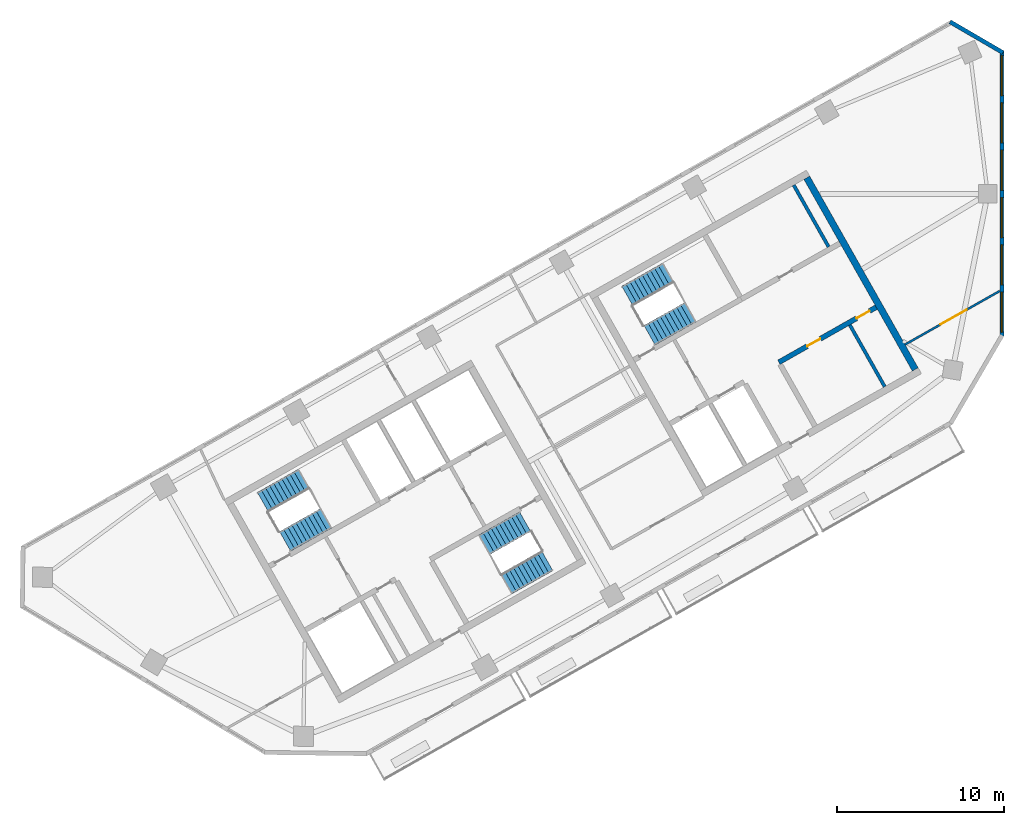
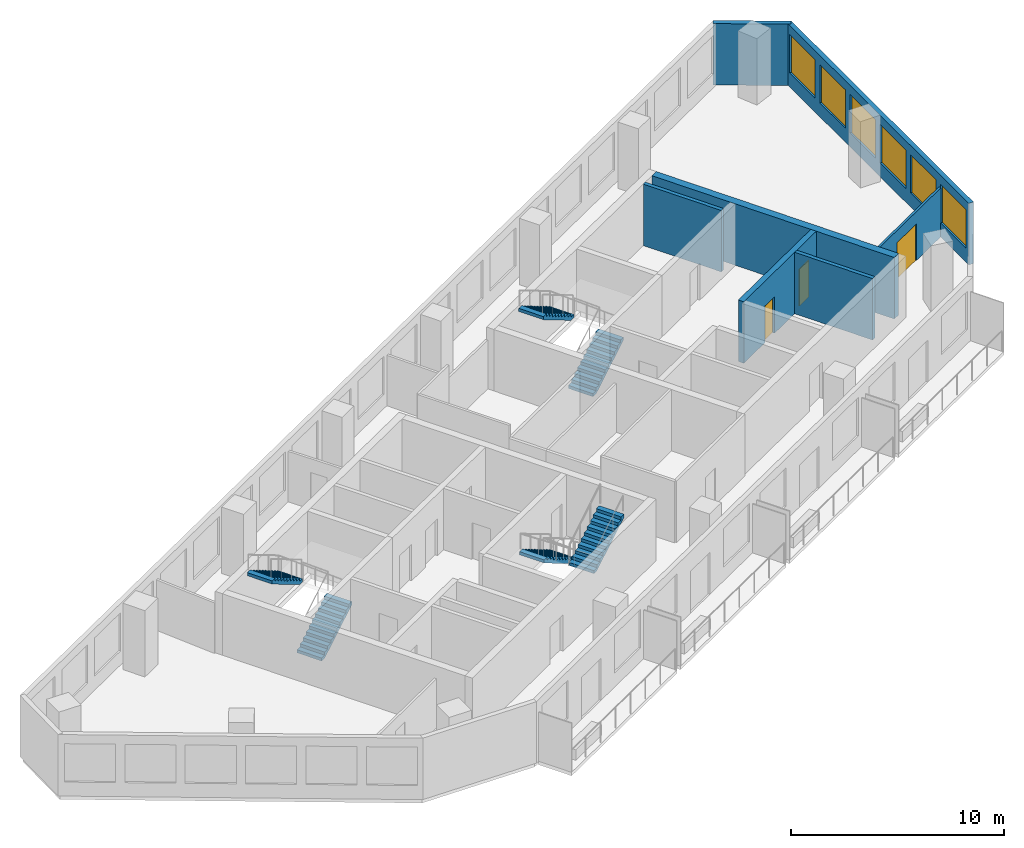
# One storey, part 5 of 7: 7 walls, 6 stair flights, 6 windows, 3 doors, 9 openings, 3 elements without a shape of their own.
"""IFC4 building model written with IfcOpenShell, lengths in metres."""

from ifc_helpers import new_model, si_unit, direction, frame, frame_2d, origin, place, context, subcontext, project, spatial, polyline, rectangle, outline, extrude, material, layer, layer_set, type_object, element, fill, aggregate, save


model = new_model("IFC4")

# Units and contexts
model_context = context("Model", 3, precision=1e-05, world=origin(), true_north=direction((0.0, 1.0)))
body_context = subcontext(model_context, "Body", "Model", "MODEL_VIEW")
ifc_project = project(units=[si_unit("LENGTHUNIT", "METRE"), si_unit("AREAUNIT", "SQUARE_METRE"), si_unit("VOLUMEUNIT", "CUBIC_METRE"), si_unit("PLANEANGLEUNIT", "RADIAN"), si_unit("MASSUNIT", "GRAM", prefix="KILO")], contexts=[model_context])

# Site, building, storey
site_placement = place(None, origin())
site = spatial("IfcSite", under=ifc_project, at=site_placement, CompositionType="ELEMENT")
building_placement = place(site_placement, origin())
building = spatial("IfcBuilding", under=site, at=building_placement, Name="Binnacle Exchange Tower", CompositionType="ELEMENT")
storey_placement = place(building_placement, frame((0.0, 0.0, 274.10009765625)))
storey = spatial("IfcBuildingStorey", under=building, at=storey_placement, Name="L61", CompositionType="ELEMENT", Elevation=274.10009765625)

# Wall
ifc_material_1 = material(Name="Gypsum partition fire rated")
ifc_layer_1 = layer(ifc_material_1, 0.199951171875)
ifc_layer_set_1 = layer_set([ifc_layer_1], Name="Core partition 200")
wall_type_1 = type_object("IfcWallType", Name="Core partition 200", PredefinedType="PARTITIONING", material=ifc_layer_set_1)
wall_1_placement = place(storey_placement, frame((-9.11279296875, 52.14404296875, 0.0), z_axis=(0.0, 0.0, 1.0), x_axis=(0.492422543467, -0.870356271124, 0.0)))
element("IfcWall", 1, at=wall_1_placement, inside=storey, type_object=wall_type_1, Name="Core wall CRWC22", PredefinedType="PARTITIONING", context=body_context, shape_type="SweptSolid", body=[
    extrude(rectangle(XDim=4.25, YDim=0.199951171875, at=frame_2d((2.125, 0.0))), origin(), (0.0, 0.0, 1.0), 3.52001953125),
])

# Wall, openings, doors
ifc_material_2 = material(Name="Concrete C70/85", Category="concrete")
ifc_layer_2 = layer(ifc_material_2, 0.300048828125)
ifc_layer_set_2 = layer_set([ifc_layer_2], Name="Core wall - front 300")
wall_type_2 = type_object("IfcWallType", Name="Core wall - front 300", PredefinedType="SOLIDWALL", material=ifc_layer_set_2)
wall_2_placement = place(storey_placement, frame((-13.364501953125, 49.910888671875, 0.0), z_axis=(0.0, 0.0, 1.0), x_axis=(0.870347618718, 0.492437836272, 0.0)))
wall_2 = element("IfcWall", 2, at=wall_2_placement, inside=storey, type_object=wall_type_2, Name="Core wall CRWC3", PredefinedType="SOLIDWALL", context=body_context, shape_type="SweptSolid", body=[
    extrude(rectangle(XDim=6.699951171875, YDim=0.300048828125, at=frame_2d((3.35009765625, 0.0))), origin(), (0.0, 0.0, 1.0), 3.52001953125),
])
opening_1_placement = place(wall_2_placement, frame((1.949951171875, 0.0, 0.0)))
opening_1 = element("IfcOpeningElement", 3, at=opening_1_placement, cuts=wall_2, Name="Opening DC18", PredefinedType="OPENING", context=body_context, shape_type="SweptSolid", body=[
    extrude(rectangle(XDim=0.89990234375, YDim=2.10009765625, at=frame_2d((0.449951171875, 1.050048828125))), frame((0.0, 0.159912109375, 0.0), z_axis=(0.0, -1.0, 0.0), x_axis=(1.0, 0.0, 0.0)), (0.0, 0.0, 1.0), 0.320068359375),
])
opening_2_placement = place(wall_2_placement, frame((5.35009765625, 0.0, 0.0)))
opening_2 = element("IfcOpeningElement", 4, at=opening_2_placement, cuts=wall_2, Name="Opening DC19", PredefinedType="OPENING", context=body_context, shape_type="SweptSolid", body=[
    extrude(rectangle(XDim=0.89990234375, YDim=2.10009765625, at=frame_2d((0.449951171875, 1.050048828125))), frame((0.0, 0.159912109375, 0.0), z_axis=(0.0, -1.0, 0.0), x_axis=(1.0, 0.0, 0.0)), (0.0, 0.0, 1.0), 0.320068359375),
])
ifc_material_3 = material(Name="Steel door leaf", Category="steel")
door_type_1 = type_object("IfcDoorType", Name="Fire door 900", OperationType="NOTDEFINED", PredefinedType="DOOR", material=ifc_material_3)
door_1_placement = place(opening_1_placement, frame((0.89990234375, 0.0, 0.0), z_axis=(0.0, 0.0, 1.0), x_axis=(-1.0, 0.0, 0.0)))
door_1 = element("IfcDoor", 5, at=door_1_placement, inside=storey, type_object=door_type_1, Name="Core room door TELECOM RISER ROOM", OperationType="SINGLE_SWING_RIGHT", OverallHeight=2.10009765625, OverallWidth=0.89990234375, PredefinedType="DOOR", context=body_context, shape_type="SweptSolid", body=[
    extrude(rectangle(XDim=0.89990234375, YDim=2.10009765625, at=frame_2d((0.449951171875, 1.050048828125))), frame((0.0, 0.02490234375, 0.0), z_axis=(0.0, -1.0, 0.0), x_axis=(1.0, 0.0, 0.0)), (0.0, 0.0, 1.0), 0.050048828125),
])
fill(opening_1, door_1)
door_2_placement = place(opening_2_placement, frame((0.89990234375, 0.0, 0.0), z_axis=(0.0, 0.0, 1.0), x_axis=(-1.0, 0.0, 0.0)))
door_2 = element("IfcDoor", 6, at=door_2_placement, inside=storey, type_object=door_type_1, Name="Core room door COMMS RISER ROOM", OperationType="SINGLE_SWING_LEFT", OverallHeight=2.10009765625, OverallWidth=0.89990234375, PredefinedType="DOOR", context=body_context, shape_type="SweptSolid", body=[
    extrude(rectangle(XDim=0.89990234375, YDim=2.10009765625, at=frame_2d((0.449951171875, 1.050048828125))), frame((0.0, 0.02490234375, 0.0), z_axis=(0.0, -1.0, 0.0), x_axis=(1.0, 0.0, 0.0)), (0.0, 0.0, 1.0), 0.050048828125),
])
fill(opening_2, door_2)

# Wall
ifc_layer_3 = layer(ifc_material_2, 0.39990234375)
ifc_layer_set_3 = layer_set([ifc_layer_3], Name="Core wall - outer 400")
wall_type_3 = type_object("IfcWallType", Name="Core wall - outer 400", PredefinedType="SOLIDWALL", material=ifc_layer_set_3)
wall_3_placement = place(storey_placement, frame((-11.6923828125, 60.968017578125, 0.0), z_axis=(0.0, 0.0, 1.0), x_axis=(0.492421663121, -0.870356769198, 0.0)))
element("IfcWall", 7, at=wall_3_placement, inside=storey, type_object=wall_type_3, Name="Core wall CRWC24", PredefinedType="SOLIDWALL", context=body_context, shape_type="SweptSolid", body=[
    extrude(rectangle(XDim=13.199951171875, YDim=0.39990234375, at=frame_2d((6.60009765625, 0.0))), origin(), (0.0, 0.0, 1.0), 3.52001953125),
])

# Wall, openings, windows
ifc_material_4 = material(Name="Bronze aluminium cladding", Category="aluminium")
ifc_layer_4 = layer(ifc_material_4, 0.25)
ifc_layer_set_4 = layer_set([ifc_layer_4], Name="External wall - window wall 250")
wall_type_4 = type_object("IfcWallType", Name="External wall - window wall 250", PredefinedType="STANDARD", material=ifc_layer_set_4)
wall_4_placement = place(storey_placement, frame((0.0, 68.57177734375, 0.0), z_axis=(0.0, 0.0, 1.0), x_axis=(0.0, -1.0, 0.0)))
wall_4 = element("IfcWall", 8, at=wall_4_placement, inside=storey, type_object=wall_type_4, Name="External wall EW-H01 L61", PredefinedType="STANDARD", context=body_context, shape_type="SweptSolid", body=[
    extrude(rectangle(XDim=17.10546875, YDim=0.25, at=frame_2d((8.552734375, 0.0))), origin(), (0.0, 0.0, 1.0), 3.52001953125),
])
opening_3_placement = place(wall_4_placement, frame((14.455078125, 0.0, 0.800048828125)))
opening_3 = element("IfcOpeningElement", 9, at=opening_3_placement, cuts=wall_4, Name="Opening WR2", PredefinedType="OPENING", context=body_context, shape_type="SweptSolid", body=[
    extrude(rectangle(XDim=2.39990234375, YDim=2.199951171875, at=frame_2d((1.199951171875, 1.10009765625))), frame((0.0, 0.135009765625, 0.0), z_axis=(0.0, -1.0, 0.0), x_axis=(1.0, 0.0, 0.0)), (0.0, 0.0, 1.0), 0.27001953125),
])
opening_4_placement = place(wall_4_placement, frame((11.621826171875, 0.0, 0.800048828125)))
opening_4 = element("IfcOpeningElement", 10, at=opening_4_placement, cuts=wall_4, Name="Opening WR2", PredefinedType="OPENING", context=body_context, shape_type="SweptSolid", body=[
    extrude(rectangle(XDim=2.39990234375, YDim=2.199951171875, at=frame_2d((1.199951171875, 1.10009765625))), frame((0.0, 0.135009765625, 0.0), z_axis=(0.0, -1.0, 0.0), x_axis=(1.0, 0.0, 0.0)), (0.0, 0.0, 1.0), 0.27001953125),
])
opening_5_placement = place(wall_4_placement, frame((8.78857421875, 0.0, 0.800048828125)))
opening_5 = element("IfcOpeningElement", 11, at=opening_5_placement, cuts=wall_4, Name="Opening WR2", PredefinedType="OPENING", context=body_context, shape_type="SweptSolid", body=[
    extrude(rectangle(XDim=2.39990234375, YDim=2.199951171875, at=frame_2d((1.199951171875, 1.10009765625))), frame((0.0, 0.135009765625, 0.0), z_axis=(0.0, -1.0, 0.0), x_axis=(1.0, 0.0, 0.0)), (0.0, 0.0, 1.0), 0.27001953125),
])
opening_6_placement = place(wall_4_placement, frame((5.955078125, 0.0, 0.800048828125)))
opening_6 = element("IfcOpeningElement", 12, at=opening_6_placement, cuts=wall_4, Name="Opening WR2", PredefinedType="OPENING", context=body_context, shape_type="SweptSolid", body=[
    extrude(rectangle(XDim=2.39990234375, YDim=2.199951171875, at=frame_2d((1.199951171875, 1.10009765625))), frame((0.0, 0.135009765625, 0.0), z_axis=(0.0, -1.0, 0.0), x_axis=(1.0, 0.0, 0.0)), (0.0, 0.0, 1.0), 0.27001953125),
])
opening_7_placement = place(wall_4_placement, frame((3.121826171875, 0.0, 0.800048828125)))
opening_7 = element("IfcOpeningElement", 13, at=opening_7_placement, cuts=wall_4, Name="Opening WR2", PredefinedType="OPENING", context=body_context, shape_type="SweptSolid", body=[
    extrude(rectangle(XDim=2.39990234375, YDim=2.199951171875, at=frame_2d((1.199951171875, 1.10009765625))), frame((0.0, 0.135009765625, 0.0), z_axis=(0.0, -1.0, 0.0), x_axis=(1.0, 0.0, 0.0)), (0.0, 0.0, 1.0), 0.27001953125),
])
opening_8_placement = place(wall_4_placement, frame((0.28857421875, 0.0, 0.800048828125)))
opening_8 = element("IfcOpeningElement", 14, at=opening_8_placement, cuts=wall_4, Name="Opening WR2", PredefinedType="OPENING", context=body_context, shape_type="SweptSolid", body=[
    extrude(rectangle(XDim=2.39990234375, YDim=2.199951171875, at=frame_2d((1.199951171875, 1.10009765625))), frame((0.0, 0.135009765625, 0.0), z_axis=(0.0, -1.0, 0.0), x_axis=(1.0, 0.0, 0.0)), (0.0, 0.0, 1.0), 0.27001953125),
])
ifc_material_5 = material(Name="Bronze anodised aluminium frame", Category="aluminium")
window_type = type_object("IfcWindowType", Name="WR2 WINDOW 2400x2200", PartitioningType="SINGLE_PANEL", PredefinedType="WINDOW", material=ifc_material_5)
window_1_placement = place(opening_3_placement, origin())
window_1 = element("IfcWindow", 15, at=window_1_placement, inside=storey, type_object=window_type, Name="Window WR2 L61", OverallHeight=2.199951171875, OverallWidth=2.39990234375, PartitioningType="SINGLE_PANEL", PredefinedType="WINDOW", context=body_context, shape_type="SweptSolid", body=[
    extrude(rectangle(XDim=2.39990234375, YDim=2.199951171875, at=frame_2d((1.199951171875, 1.10009765625))), frame((0.0, 0.030029296875, 0.0), z_axis=(0.0, -1.0, 0.0), x_axis=(1.0, 0.0, 0.0)), (0.0, 0.0, 1.0), 0.06005859375),
])
fill(opening_3, window_1)
window_2_placement = place(opening_4_placement, origin())
window_2 = element("IfcWindow", 16, at=window_2_placement, inside=storey, type_object=window_type, Name="Window WR2 L61", OverallHeight=2.199951171875, OverallWidth=2.39990234375, PartitioningType="SINGLE_PANEL", PredefinedType="WINDOW", context=body_context, shape_type="SweptSolid", body=[
    extrude(rectangle(XDim=2.39990234375, YDim=2.199951171875, at=frame_2d((1.199951171875, 1.10009765625))), frame((0.0, 0.030029296875, 0.0), z_axis=(0.0, -1.0, 0.0), x_axis=(1.0, 0.0, 0.0)), (0.0, 0.0, 1.0), 0.06005859375),
])
fill(opening_4, window_2)
window_3_placement = place(opening_5_placement, origin())
window_3 = element("IfcWindow", 17, at=window_3_placement, inside=storey, type_object=window_type, Name="Window WR2 L61", OverallHeight=2.199951171875, OverallWidth=2.39990234375, PartitioningType="SINGLE_PANEL", PredefinedType="WINDOW", context=body_context, shape_type="SweptSolid", body=[
    extrude(rectangle(XDim=2.39990234375, YDim=2.199951171875, at=frame_2d((1.199951171875, 1.10009765625))), frame((0.0, 0.030029296875, 0.0), z_axis=(0.0, -1.0, 0.0), x_axis=(1.0, 0.0, 0.0)), (0.0, 0.0, 1.0), 0.06005859375),
])
fill(opening_5, window_3)
window_4_placement = place(opening_6_placement, origin())
window_4 = element("IfcWindow", 18, at=window_4_placement, inside=storey, type_object=window_type, Name="Window WR2 L61", OverallHeight=2.199951171875, OverallWidth=2.39990234375, PartitioningType="SINGLE_PANEL", PredefinedType="WINDOW", context=body_context, shape_type="SweptSolid", body=[
    extrude(rectangle(XDim=2.39990234375, YDim=2.199951171875, at=frame_2d((1.199951171875, 1.10009765625))), frame((0.0, 0.030029296875, 0.0), z_axis=(0.0, -1.0, 0.0), x_axis=(1.0, 0.0, 0.0)), (0.0, 0.0, 1.0), 0.06005859375),
])
fill(opening_6, window_4)
window_5_placement = place(opening_7_placement, origin())
window_5 = element("IfcWindow", 19, at=window_5_placement, inside=storey, type_object=window_type, Name="Window WR2 L61", OverallHeight=2.199951171875, OverallWidth=2.39990234375, PartitioningType="SINGLE_PANEL", PredefinedType="WINDOW", context=body_context, shape_type="SweptSolid", body=[
    extrude(rectangle(XDim=2.39990234375, YDim=2.199951171875, at=frame_2d((1.199951171875, 1.10009765625))), frame((0.0, 0.030029296875, 0.0), z_axis=(0.0, -1.0, 0.0), x_axis=(1.0, 0.0, 0.0)), (0.0, 0.0, 1.0), 0.06005859375),
])
fill(opening_7, window_5)
window_6_placement = place(opening_8_placement, origin())
window_6 = element("IfcWindow", 20, at=window_6_placement, inside=storey, type_object=window_type, Name="Window WR2 L61", OverallHeight=2.199951171875, OverallWidth=2.39990234375, PartitioningType="SINGLE_PANEL", PredefinedType="WINDOW", context=body_context, shape_type="SweptSolid", body=[
    extrude(rectangle(XDim=2.39990234375, YDim=2.199951171875, at=frame_2d((1.199951171875, 1.10009765625))), frame((0.0, 0.030029296875, 0.0), z_axis=(0.0, -1.0, 0.0), x_axis=(1.0, 0.0, 0.0)), (0.0, 0.0, 1.0), 0.06005859375),
])
fill(opening_8, window_6)

# Wall
wall_5_placement = place(storey_placement, frame((-3.108154296875, 70.312744140625, 0.0), z_axis=(0.0, 0.0, 1.0), x_axis=(0.86382474085, -0.503792434536, 0.0)))
element("IfcWall", 21, at=wall_5_placement, inside=storey, type_object=wall_type_4, Name="External wall EW-H02 L61", PredefinedType="STANDARD", context=body_context, shape_type="SweptSolid", body=[
    extrude(rectangle(XDim=3.669921875, YDim=0.25, at=frame_2d((1.8349609375, 0.0))), origin(), (0.0, 0.0, 1.0), 3.52001953125),
])

# Wall, opening, door
ifc_material_6 = material(Name="Gypsum partition")
ifc_layer_5 = layer(ifc_material_6, 0.125)
ifc_layer_set_5 = layer_set([ifc_layer_5], Name="Partition 125")
wall_type_5 = type_object("IfcWallType", Name="Partition 125", PredefinedType="PARTITIONING", material=ifc_layer_set_5)
wall_6_placement = place(storey_placement, frame((-5.805908203125, 50.969970703125, 0.0), z_axis=(0.0, 0.0, 1.0), x_axis=(0.870355163327, 0.492424501492, 0.0)))
wall_6 = element("IfcWall", 22, at=wall_6_placement, inside=storey, type_object=wall_type_5, Name="Partition W15", PredefinedType="PARTITIONING", context=body_context, shape_type="SweptSolid", body=[
    extrude(rectangle(XDim=6.527099609375, YDim=0.125, at=frame_2d((3.263671875, 0.0))), origin(), (0.0, 0.0, 1.0), 2.7998046875),
])
opening_9_placement = place(wall_6_placement, frame((2.449951171875, 0.0, 0.0)))
opening_9 = element("IfcOpeningElement", 23, at=opening_9_placement, cuts=wall_6, Name="Opening DL61-07", PredefinedType="OPENING", context=body_context, shape_type="SweptSolid", body=[
    extrude(rectangle(XDim=1.800048828125, YDim=2.10009765625, at=frame_2d((0.89990234375, 1.050048828125))), frame((0.0, 0.072509765625, 0.0), z_axis=(0.0, -1.0, 0.0), x_axis=(1.0, 0.0, 0.0)), (0.0, 0.0, 1.0), 0.14501953125),
])
ifc_material_7 = material(Name="Timber door leaf", Category="wood")
door_type_2 = type_object("IfcDoorType", Name="Double door 1800", OperationType="NOTDEFINED", PredefinedType="DOOR", material=ifc_material_7)
door_3_placement = place(opening_9_placement, origin())
door_3 = element("IfcDoor", 24, at=door_3_placement, inside=storey, type_object=door_type_2, Name="Door DL61-07", OperationType="DOUBLE_DOOR_SINGLE_SWING", OverallHeight=2.10009765625, OverallWidth=1.800048828125, PredefinedType="DOOR", context=body_context, shape_type="SweptSolid", body=[
    extrude(rectangle(XDim=1.800048828125, YDim=2.10009765625, at=frame_2d((0.89990234375, 1.050048828125))), frame((0.0, 0.02490234375, 0.0), z_axis=(0.0, -1.0, 0.0), x_axis=(1.0, 0.0, 0.0)), (0.0, 0.0, 1.0), 0.050048828125),
])
fill(opening_9, door_3)

# Wall
ifc_material_8 = material(Name="Masonry block wall", Category="masonry")
ifc_layer_6 = layer(ifc_material_8, 0.199951171875)
ifc_layer_set_6 = layer_set([ifc_layer_6], Name="Riser wall 200")
wall_type_6 = type_object("IfcWallType", Name="Riser wall 200", PredefinedType="SOLIDWALL", material=ifc_layer_set_6)
wall_7_placement = place(storey_placement, frame((-12.4755859375, 60.524658203125, 0.0), z_axis=(0.0, 0.0, 1.0), x_axis=(0.492422543467, -0.870356271124, 0.0)))
element("IfcWall", 25, at=wall_7_placement, inside=storey, type_object=wall_type_6, Name="Core wall CRWC23", PredefinedType="SOLIDWALL", context=body_context, shape_type="SweptSolid", body=[
    extrude(rectangle(XDim=4.25, YDim=0.199951171875, at=frame_2d((2.125, 0.0))), origin(), (0.0, 0.0, 1.0), 3.52001953125),
])

# Stair, stair flights
ifc_material_9 = material(Name="Concrete C35/45", Category="concrete")
stair_type = type_object("IfcStairType", Name="STAIR 22 RISERS 173", PredefinedType="HALF_TURN_STAIR", material=ifc_material_9)
stair_1_placement = place(storey_placement, origin())
stair_1 = element("IfcStair", 26, at=stair_1_placement, inside=storey, type_object=stair_type, Name="L61 Escape stair A1", PredefinedType="HALF_TURN_STAIR")
stair_flight_type = type_object("IfcStairFlightType", Name="STAIR FLIGHT 173X280", PredefinedType="STRAIGHT", material=ifc_material_9)
stair_flight_1_placement = place(storey_placement, frame((-42.9541015625, 39.17333984375, 0.0), z_axis=(0.0, 0.0, 1.0), x_axis=(0.870355584213, 0.492423757581, 0.0)))
stair_flight_1 = element("IfcStairFlight", 27, at=stair_flight_1_placement, type_object=stair_flight_type, Name="STA1 flight 1", NumberOfRisers=11, NumberOfTreads=10, PredefinedType="STRAIGHT", RiserHeight=0.172727273, TreadLength=0.28, context=body_context, shape_type="SweptSolid", body=[
    extrude(outline(polyline([(0.0, 0.0), (0.0, 0.172607421875), (0.280029296875, 0.172607421875), (0.280029296875, 0.345458984375), (0.56005859375, 0.345458984375), (0.56005859375, 0.51806640625), (0.840087890625, 0.51806640625), (0.840087890625, 0.69091796875), (1.1201171875, 0.69091796875), (1.1201171875, 0.863525390625), (1.39990234375, 0.863525390625), (1.39990234375, 1.036376953125), (1.679931640625, 1.036376953125), (1.679931640625, 1.208984375), (1.9599609375, 1.208984375), (1.9599609375, 1.3818359375), (2.239990234375, 1.3818359375), (2.239990234375, 1.554443359375), (2.52001953125, 1.554443359375), (2.52001953125, 1.727294921875), (2.800048828125, 1.727294921875), (2.800048828125, 1.89990234375), (2.800048828125, 1.551025390625), (0.285400390625, 0.0), (0.0, 0.0)])), frame((0.0, 0.675048828125, 0.0), z_axis=(0.0, -1.0, 0.0), x_axis=(1.0, 0.0, 0.0)), (0.0, 0.0, 1.0), 1.35009765625),
])
stair_flight_2_placement = place(storey_placement, frame((-41.846435546875, 42.902099609375, 1.89990234375), z_axis=(0.0, 0.0, 1.0), x_axis=(-0.870355584213, -0.492423757581, 0.0)))
stair_flight_2 = element("IfcStairFlight", 28, at=stair_flight_2_placement, type_object=stair_flight_type, Name="STA1 flight 2", NumberOfRisers=11, NumberOfTreads=10, PredefinedType="STRAIGHT", RiserHeight=0.172727273, TreadLength=0.28, context=body_context, shape_type="SweptSolid", body=[
    extrude(outline(polyline([(0.0, 0.0), (0.0, 0.172607421875), (0.280029296875, 0.172607421875), (0.280029296875, 0.345458984375), (0.56005859375, 0.345458984375), (0.56005859375, 0.51806640625), (0.840087890625, 0.51806640625), (0.840087890625, 0.69091796875), (1.1201171875, 0.69091796875), (1.1201171875, 0.863525390625), (1.39990234375, 0.863525390625), (1.39990234375, 1.036376953125), (1.679931640625, 1.036376953125), (1.679931640625, 1.208984375), (1.9599609375, 1.208984375), (1.9599609375, 1.3818359375), (2.239990234375, 1.3818359375), (2.239990234375, 1.554443359375), (2.52001953125, 1.554443359375), (2.52001953125, 1.727294921875), (2.800048828125, 1.727294921875), (2.800048828125, 1.89990234375), (2.800048828125, 1.551025390625), (0.285400390625, 0.0), (0.0, 0.0)])), frame((0.0, 0.675048828125, 0.0), z_axis=(0.0, -1.0, 0.0), x_axis=(1.0, 0.0, 0.0)), (0.0, 0.0, 1.0), 1.35009765625),
])
aggregate(stair_1, [stair_flight_1, stair_flight_2])

stair_2_placement = place(storey_placement, origin())
stair_2 = element("IfcStair", 29, at=stair_2_placement, inside=storey, type_object=stair_type, Name="L61 Escape stair A2", PredefinedType="HALF_TURN_STAIR")
stair_flight_3_placement = place(storey_placement, frame((-28.5732421875, 40.3583984375, 0.0), z_axis=(0.0, 0.0, 1.0), x_axis=(-0.870355584213, -0.492423757581, 0.0)))
stair_flight_3 = element("IfcStairFlight", 30, at=stair_flight_3_placement, type_object=stair_flight_type, Name="STA2 flight 1", NumberOfRisers=11, NumberOfTreads=10, PredefinedType="STRAIGHT", RiserHeight=0.172727273, TreadLength=0.28, context=body_context, shape_type="SweptSolid", body=[
    extrude(outline(polyline([(0.0, 0.0), (0.0, 0.172607421875), (0.280029296875, 0.172607421875), (0.280029296875, 0.345458984375), (0.56005859375, 0.345458984375), (0.56005859375, 0.51806640625), (0.840087890625, 0.51806640625), (0.840087890625, 0.69091796875), (1.1201171875, 0.69091796875), (1.1201171875, 0.863525390625), (1.39990234375, 0.863525390625), (1.39990234375, 1.036376953125), (1.679931640625, 1.036376953125), (1.679931640625, 1.208984375), (1.9599609375, 1.208984375), (1.9599609375, 1.3818359375), (2.239990234375, 1.3818359375), (2.239990234375, 1.554443359375), (2.52001953125, 1.554443359375), (2.52001953125, 1.727294921875), (2.800048828125, 1.727294921875), (2.800048828125, 1.89990234375), (2.800048828125, 1.551025390625), (0.285400390625, 0.0), (0.0, 0.0)])), frame((0.0, 0.675048828125, 0.0), z_axis=(0.0, -1.0, 0.0), x_axis=(1.0, 0.0, 0.0)), (0.0, 0.0, 1.0), 1.35009765625),
])
stair_flight_4_placement = place(storey_placement, frame((-29.6806640625, 36.629638671875, 1.89990234375), z_axis=(0.0, 0.0, 1.0), x_axis=(0.870355584213, 0.492423757581, 0.0)))
stair_flight_4 = element("IfcStairFlight", 31, at=stair_flight_4_placement, type_object=stair_flight_type, Name="STA2 flight 2", NumberOfRisers=11, NumberOfTreads=10, PredefinedType="STRAIGHT", RiserHeight=0.172727273, TreadLength=0.28, context=body_context, shape_type="SweptSolid", body=[
    extrude(outline(polyline([(0.0, 0.0), (0.0, 0.172607421875), (0.280029296875, 0.172607421875), (0.280029296875, 0.345458984375), (0.56005859375, 0.345458984375), (0.56005859375, 0.51806640625), (0.840087890625, 0.51806640625), (0.840087890625, 0.69091796875), (1.1201171875, 0.69091796875), (1.1201171875, 0.863525390625), (1.39990234375, 0.863525390625), (1.39990234375, 1.036376953125), (1.679931640625, 1.036376953125), (1.679931640625, 1.208984375), (1.9599609375, 1.208984375), (1.9599609375, 1.3818359375), (2.239990234375, 1.3818359375), (2.239990234375, 1.554443359375), (2.52001953125, 1.554443359375), (2.52001953125, 1.727294921875), (2.800048828125, 1.727294921875), (2.800048828125, 1.89990234375), (2.800048828125, 1.551025390625), (0.285400390625, 0.0), (0.0, 0.0)])), frame((0.0, 0.675048828125, 0.0), z_axis=(0.0, -1.0, 0.0), x_axis=(1.0, 0.0, 0.0)), (0.0, 0.0, 1.0), 1.35009765625),
])
aggregate(stair_2, [stair_flight_3, stair_flight_4])

stair_3_placement = place(storey_placement, origin())
stair_3 = element("IfcStair", 32, at=stair_3_placement, inside=storey, type_object=stair_type, Name="L61 Escape stair C1", PredefinedType="HALF_TURN_STAIR")
stair_flight_5_placement = place(storey_placement, frame((-21.115966796875, 51.528564453125, 0.0), z_axis=(0.0, 0.0, 1.0), x_axis=(0.870355584213, 0.492423757581, 0.0)))
stair_flight_5 = element("IfcStairFlight", 33, at=stair_flight_5_placement, type_object=stair_flight_type, Name="STC1 flight 1", NumberOfRisers=11, NumberOfTreads=10, PredefinedType="STRAIGHT", RiserHeight=0.172727273, TreadLength=0.28, context=body_context, shape_type="SweptSolid", body=[
    extrude(outline(polyline([(0.0, 0.0), (0.0, 0.172607421875), (0.280029296875, 0.172607421875), (0.280029296875, 0.345458984375), (0.56005859375, 0.345458984375), (0.56005859375, 0.51806640625), (0.840087890625, 0.51806640625), (0.840087890625, 0.69091796875), (1.1201171875, 0.69091796875), (1.1201171875, 0.863525390625), (1.39990234375, 0.863525390625), (1.39990234375, 1.036376953125), (1.679931640625, 1.036376953125), (1.679931640625, 1.208984375), (1.9599609375, 1.208984375), (1.9599609375, 1.3818359375), (2.239990234375, 1.3818359375), (2.239990234375, 1.554443359375), (2.52001953125, 1.554443359375), (2.52001953125, 1.727294921875), (2.800048828125, 1.727294921875), (2.800048828125, 1.89990234375), (2.800048828125, 1.551025390625), (0.285400390625, 0.0), (0.0, 0.0)])), frame((0.0, 0.675048828125, 0.0), z_axis=(0.0, -1.0, 0.0), x_axis=(1.0, 0.0, 0.0)), (0.0, 0.0, 1.0), 1.35009765625),
])
stair_flight_6_placement = place(storey_placement, frame((-20.008544921875, 55.25732421875, 1.89990234375), z_axis=(0.0, 0.0, 1.0), x_axis=(-0.870355584213, -0.492423757581, 0.0)))
stair_flight_6 = element("IfcStairFlight", 34, at=stair_flight_6_placement, type_object=stair_flight_type, Name="STC1 flight 2", NumberOfRisers=11, NumberOfTreads=10, PredefinedType="STRAIGHT", RiserHeight=0.172727273, TreadLength=0.28, context=body_context, shape_type="SweptSolid", body=[
    extrude(outline(polyline([(0.0, 0.0), (0.0, 0.172607421875), (0.280029296875, 0.172607421875), (0.280029296875, 0.345458984375), (0.56005859375, 0.345458984375), (0.56005859375, 0.51806640625), (0.840087890625, 0.51806640625), (0.840087890625, 0.69091796875), (1.1201171875, 0.69091796875), (1.1201171875, 0.863525390625), (1.39990234375, 0.863525390625), (1.39990234375, 1.036376953125), (1.679931640625, 1.036376953125), (1.679931640625, 1.208984375), (1.9599609375, 1.208984375), (1.9599609375, 1.3818359375), (2.239990234375, 1.3818359375), (2.239990234375, 1.554443359375), (2.52001953125, 1.554443359375), (2.52001953125, 1.727294921875), (2.800048828125, 1.727294921875), (2.800048828125, 1.89990234375), (2.800048828125, 1.551025390625), (0.285400390625, 0.0), (0.0, 0.0)])), frame((0.0, 0.675048828125, 0.0), z_axis=(0.0, -1.0, 0.0), x_axis=(1.0, 0.0, 0.0)), (0.0, 0.0, 1.0), 1.35009765625),
])
aggregate(stair_3, [stair_flight_5, stair_flight_6])

save(model, "model.ifc")
